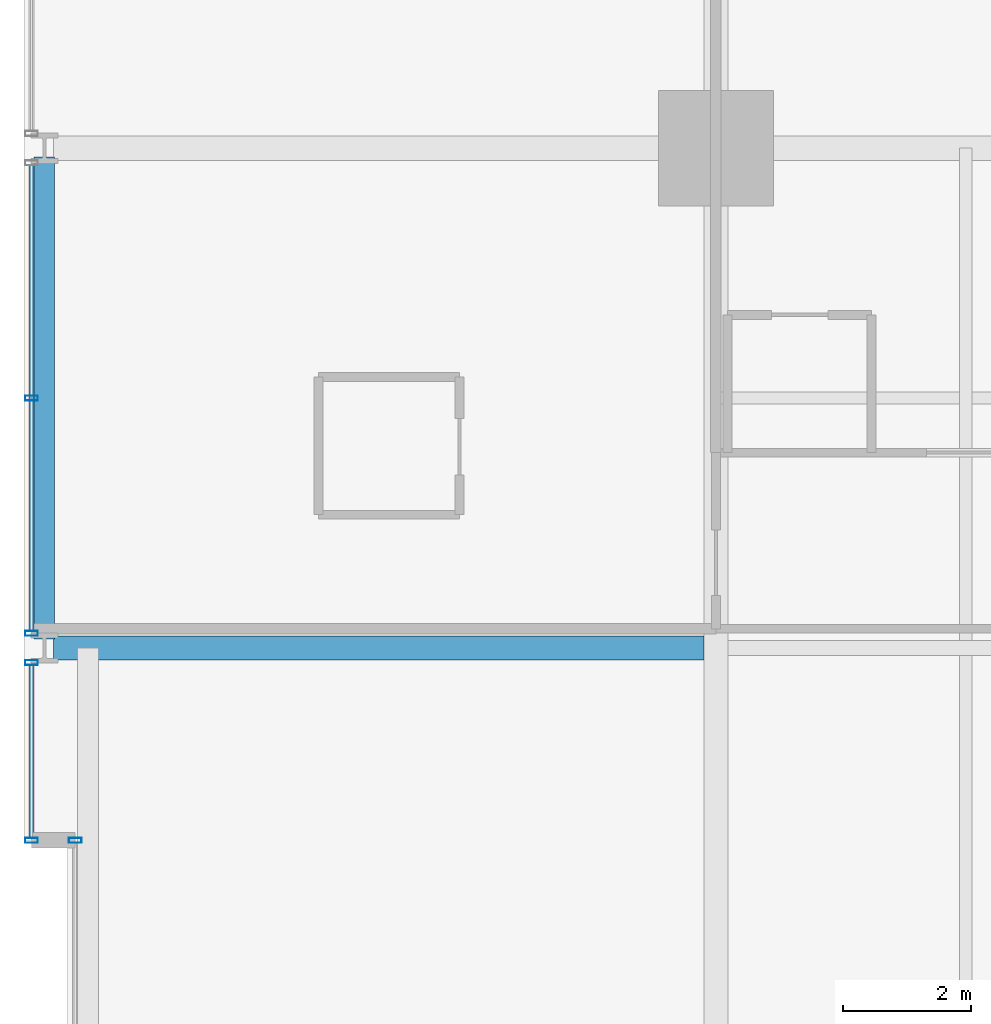
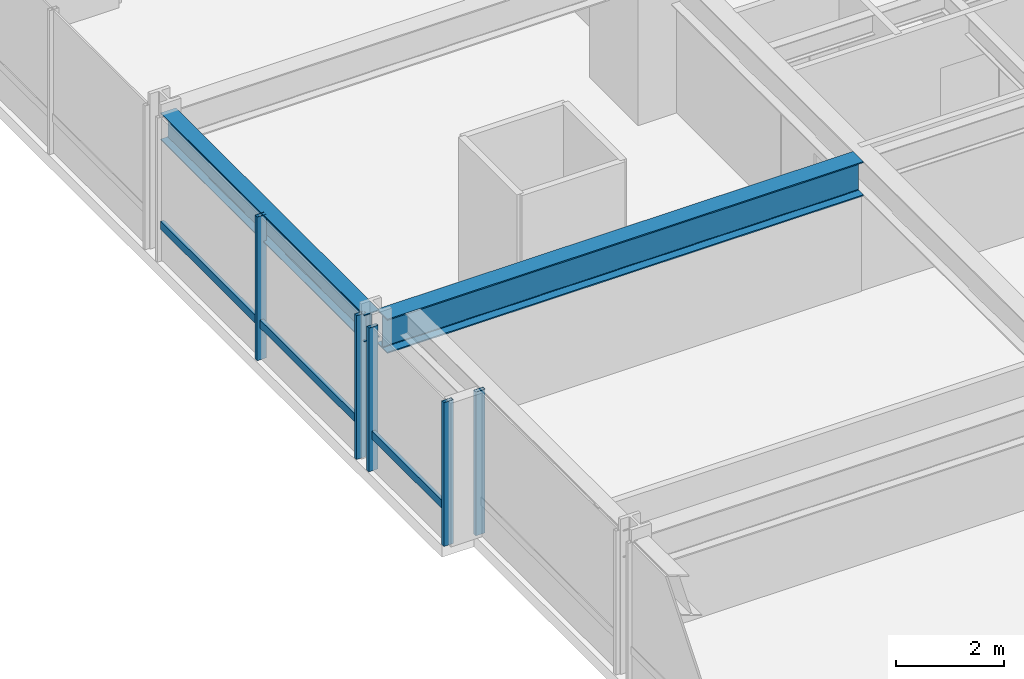
# One storey, part 17 of 38: 7 members, 2 beams, 3 elements without a shape of their own.
"""IFC4 building model written with IfcOpenShell, lengths in metres."""

from ifc_helpers import new_model, si_unit, direction, frame, origin, origin_2d, place, context, subcontext, project, spatial, hollow_rectangle, i_section, extrude, material, layer, layer_set, material_profile, profile_set, type_object, element, aggregate, save


model = new_model("IFC4")

# Units and contexts
model_context = context("Model", 3, precision=1e-05, world=origin(), true_north=direction((0.0, 1.0)))
body_context = subcontext(model_context, "Body", "Model", "MODEL_VIEW")
ifc_project = project(units=[si_unit("LENGTHUNIT", "METRE"), si_unit("AREAUNIT", "SQUARE_METRE"), si_unit("VOLUMEUNIT", "CUBIC_METRE"), si_unit("PLANEANGLEUNIT", "RADIAN"), si_unit("MASSUNIT", "GRAM", prefix="KILO")], contexts=[model_context])

# Site, building, storey
site_placement = place(None, origin())
site = spatial("IfcSite", under=ifc_project, at=site_placement, CompositionType="ELEMENT")
building_placement = place(site_placement, origin())
building = spatial("IfcBuilding", under=site, at=building_placement, Name="Drelvath Grand Hotel", CompositionType="ELEMENT")
storey_placement = place(building_placement, frame((0.0, 0.0, 68.199951171875)))
storey = spatial("IfcBuildingStorey", under=building, at=storey_placement, Name="L16", CompositionType="ELEMENT", Elevation=68.199951171875)

# Curtain wall, member
ifc_material_1 = material(Name="Warm Bronze Anodised Aluminium Frame", Category="aluminium")
ifc_layer = layer(ifc_material_1, 0.199951171875)
ifc_layer_set = layer_set([ifc_layer], Name="Warm Bronze Anodised Aluminium Frame")
curtain_wall_type = type_object("IfcCurtainWallType", Name="Stick Curtain Wall CW-02 Warm Bronze Low-Rise", PredefinedType="NOTDEFINED", material=ifc_layer_set)
curtain_wall_1_placement = place(storey_placement, origin())
curtain_wall_1 = element("IfcCurtainWall", 1, at=curtain_wall_1_placement, inside=storey, type_object=curtain_wall_type, Name="L16 CW-02 Curtain Wall CW02-L16-WN1", PredefinedType="NOTDEFINED")
ifc_material_profile_1 = material_profile(ifc_material_1, hollow_rectangle(XDim=0.074951171875, YDim=0.179931640625, WallThickness=0.0048828125, at=origin_2d()), Name="HSS180X75X5")
ifc_profile_set_1 = profile_set([ifc_material_profile_1], Name="Warm Bronze Anodised Aluminium Frame")
member_type_1 = type_object("IfcMemberType", Name="Curtain Wall Horizontal Transom CW-02 HSS180X75X5", PredefinedType="USERDEFINED", material=ifc_profile_set_1)
member_1_placement = place(storey_placement, frame((-26.8798828125, 32.43994140625, 0.81005859375), z_axis=(0.0, 1.0, 0.0), x_axis=(-1.0, 0.0, 0.0)))
member_1 = element("IfcMember", 2, at=member_1_placement, type_object=member_type_1, Name="CW02-L16-WN1 Sill Transom", ObjectType="TRANSOM", PredefinedType="USERDEFINED", context=body_context, shape_type="SweptSolid", body=[
    extrude(hollow_rectangle(XDim=0.074951171875, YDim=0.179931640625, WallThickness=0.0048828125, at=origin_2d()), origin(), (0.0, 0.0, 1.0), 2.69091796875),
])

curtain_wall_2_placement = place(storey_placement, origin())
curtain_wall_2 = element("IfcCurtainWall", 3, at=curtain_wall_2_placement, inside=storey, type_object=curtain_wall_type, Name="L16 CW-02 Curtain Wall CW02-L16-WN2", PredefinedType="NOTDEFINED")
member_2_placement = place(storey_placement, frame((-26.8798828125, 35.669189453125, 0.81005859375), z_axis=(0.0, 1.0, 0.0), x_axis=(-1.0, 0.0, 0.0)))
member_2 = element("IfcMember", 4, at=member_2_placement, type_object=member_type_1, Name="CW02-L16-WN2 Sill Transom", ObjectType="TRANSOM", PredefinedType="USERDEFINED", context=body_context, shape_type="SweptSolid", body=[
    extrude(hollow_rectangle(XDim=0.074951171875, YDim=0.179931640625, WallThickness=0.0048828125, at=origin_2d()), origin(), (0.0, 0.0, 1.0), 7.26171875),
])

curtain_wall_3_placement = place(storey_placement, origin())
curtain_wall_3 = element("IfcCurtainWall", 5, at=curtain_wall_3_placement, inside=storey, type_object=curtain_wall_type, Name="L16 CW-02 Curtain Wall CW02-L16-WM2", PredefinedType="NOTDEFINED")
ifc_material_profile_2 = material_profile(ifc_material_1, hollow_rectangle(XDim=0.080078125, YDim=0.199951171875, WallThickness=0.0048828125, at=origin_2d()), Name="HSS200X80X5")
ifc_profile_set_2 = profile_set([ifc_material_profile_2], Name="Warm Bronze Anodised Aluminium Frame")
member_type_2 = type_object("IfcMemberType", Name="Curtain Wall Vertical Mullion CW-02 HSS200X80X5", PredefinedType="MULLION", material=ifc_profile_set_2)
member_3_placement = place(storey_placement, frame((-26.199951171875, 32.39990234375, 0.0), z_axis=(0.0, 0.0, 1.0), x_axis=(0.0, 1.0, 0.0)))
member_3 = element("IfcMember", 6, at=member_3_placement, type_object=member_type_2, Name="CW02-L16-WM2 Mullion 2", PredefinedType="MULLION", context=body_context, shape_type="SweptSolid", body=[
    extrude(hollow_rectangle(XDim=0.080078125, YDim=0.199951171875, WallThickness=0.0048828125, at=origin_2d()), origin(), (0.0, 0.0, 1.0), 3.239990234375),
])
aggregate(curtain_wall_3, [member_3])

# Member
member_4_placement = place(storey_placement, frame((-26.8798828125, 32.39990234375, 0.0), z_axis=(0.0, 0.0, 1.0), x_axis=(0.0, 1.0, 0.0)))
member_4 = element("IfcMember", 7, at=member_4_placement, type_object=member_type_2, Name="CW02-L16-WN1 Mullion 1", PredefinedType="MULLION", context=body_context, shape_type="SweptSolid", body=[
    extrude(hollow_rectangle(XDim=0.080078125, YDim=0.199951171875, WallThickness=0.0048828125, at=origin_2d()), origin(), (0.0, 0.0, 1.0), 3.239990234375),
])

member_5_placement = place(storey_placement, frame((-26.8798828125, 35.1708984375, 0.0), z_axis=(0.0, 0.0, 1.0), x_axis=(0.0, 1.0, 0.0)))
member_5 = element("IfcMember", 8, at=member_5_placement, type_object=member_type_2, Name="CW02-L16-WN1 Mullion 2", PredefinedType="MULLION", context=body_context, shape_type="SweptSolid", body=[
    extrude(hollow_rectangle(XDim=0.080078125, YDim=0.199951171875, WallThickness=0.0048828125, at=origin_2d()), origin(), (0.0, 0.0, 1.0), 3.239990234375),
])

aggregate(curtain_wall_1, [member_4, member_5, member_1])

member_6_placement = place(storey_placement, frame((-26.8798828125, 35.629150390625, 0.0), z_axis=(0.0, 0.0, 1.0), x_axis=(0.0, 1.0, 0.0)))
member_6 = element("IfcMember", 9, at=member_6_placement, type_object=member_type_2, Name="CW02-L16-WN2 Mullion 1", PredefinedType="MULLION", context=body_context, shape_type="SweptSolid", body=[
    extrude(hollow_rectangle(XDim=0.080078125, YDim=0.199951171875, WallThickness=0.0048828125, at=origin_2d()), origin(), (0.0, 0.0, 1.0), 3.239990234375),
])

member_7_placement = place(storey_placement, frame((-26.8798828125, 39.300048828125, 0.0), z_axis=(0.0, 0.0, 1.0), x_axis=(0.0, 1.0, 0.0)))
member_7 = element("IfcMember", 10, at=member_7_placement, type_object=member_type_2, Name="CW02-L16-WN2 Mullion 2", PredefinedType="MULLION", context=body_context, shape_type="SweptSolid", body=[
    extrude(hollow_rectangle(XDim=0.080078125, YDim=0.199951171875, WallThickness=0.0048828125, at=origin_2d()), origin(), (0.0, 0.0, 1.0), 3.239990234375),
])

aggregate(curtain_wall_2, [member_6, member_7, member_2])

# Beams
ifc_material_2 = material(Name="Steel ASTM A992 Gr 50", Category="steel")
ifc_material_profile_3 = material_profile(ifc_material_2, i_section(OverallWidth=0.323974609375, OverallDepth=0.611083984375, WebThickness=0.0126953125, FlangeThickness=0.01904296875, FilletRadius=0.02197265625, at=origin_2d()), Name="W24X104")
ifc_profile_set_3 = profile_set([ifc_material_profile_3], Name="Steel ASTM A992 Gr 50")
beam_type_1 = type_object("IfcBeamType", Name="Perimeter Spandrel Beam W24X104", PredefinedType="SPANDREL", material=ifc_profile_set_3)
beam_1_placement = place(storey_placement, frame((-26.679931640625, 35.5400390625, 2.9345703125), z_axis=(0.0, 1.0, 0.0), x_axis=(-1.0, 0.0, 0.0)))
element("IfcBeam", 11, at=beam_1_placement, inside=storey, type_object=beam_type_1, Name="L16 Spandrel West N", PredefinedType="SPANDREL", context=body_context, shape_type="SweptSolid", body=[
    extrude(i_section(OverallWidth=0.323974609375, OverallDepth=0.611083984375, WebThickness=0.0126953125, FlangeThickness=0.01904296875, FilletRadius=0.02197265625, at=origin_2d()), origin(), (0.0, 0.0, 1.0), 7.52001953125),
])
ifc_material_profile_4 = material_profile(ifc_material_2, i_section(OverallWidth=0.380615234375, OverallDepth=0.773193359375, WebThickness=0.0166015625, FlangeThickness=0.027099609375, FilletRadius=0.02490234375, at=origin_2d()), Name="W30X173")
ifc_profile_set_4 = profile_set([ifc_material_profile_4], Name="Steel ASTM A992 Gr 50")
beam_type_2 = type_object("IfcBeamType", Name="Primary Floor Girder W30X173", PredefinedType="BEAM", material=ifc_profile_set_4)
beam_2_placement = place(storey_placement, frame((-26.5400390625, 35.39990234375, 2.853515625), z_axis=(1.0, 0.0, 0.0), x_axis=(0.0, 1.0, 0.0)))
element("IfcBeam", 12, at=beam_2_placement, inside=storey, type_object=beam_type_2, Name="L16 West Wing Girder F", PredefinedType="BEAM", context=body_context, shape_type="SweptSolid", body=[
    extrude(i_section(OverallWidth=0.380615234375, OverallDepth=0.773193359375, WebThickness=0.0166015625, FlangeThickness=0.027099609375, FilletRadius=0.02490234375, at=origin_2d()), origin(), (0.0, 0.0, 1.0), 10.149658203125),
])

save(model, "model.ifc")
